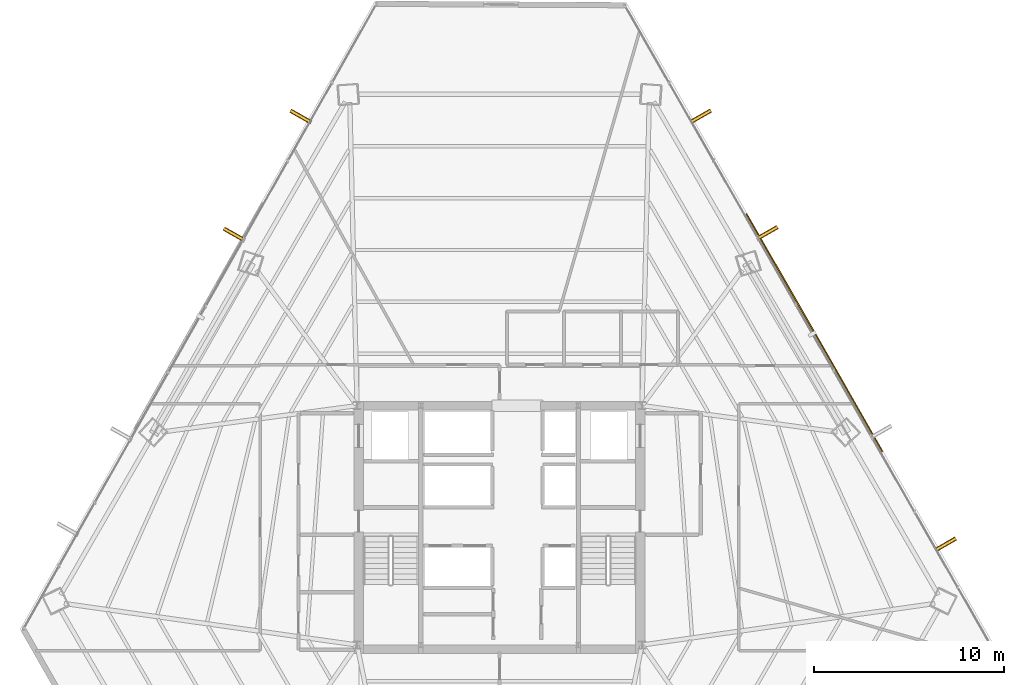
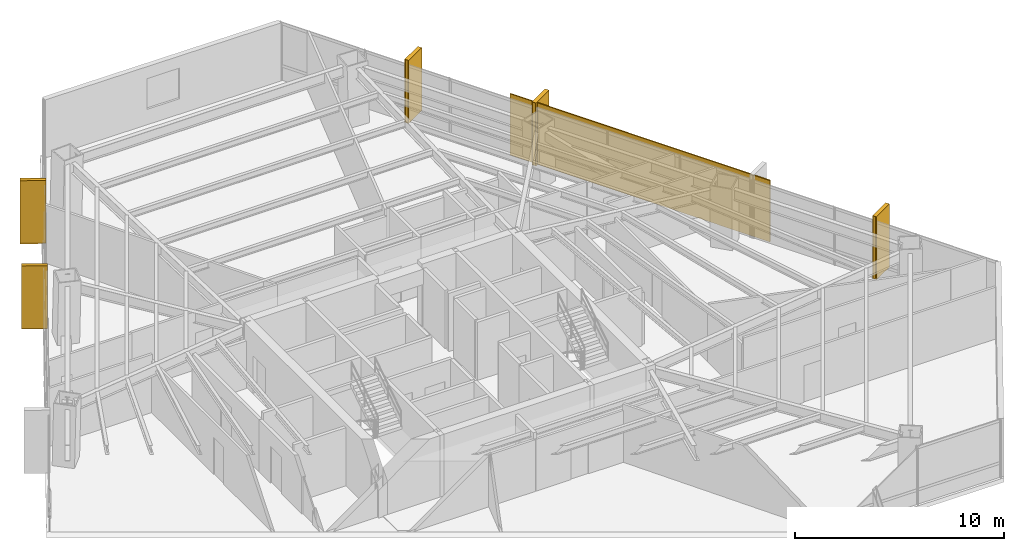
# One storey, part 36 of 36: 6 shading devices, 5 coverings.
"""IFC4 building model written with IfcOpenShell, lengths in metres."""

import ifcopenshell
import ifcopenshell.guid

model = None  # the IFC model being written
_history = None  # IfcOwnerHistory: only IFC2X3 demands one
_inside = {}  # id of a spatial element -> (the spatial element, [elements in it])
_under = {}  # id of a project, library or spatial element -> (it, [spatial elements below it])
_declared = {}  # id of a project -> (the project, [libraries it declares])
_typed = {}  # id of a type object -> (the type object, [elements of that type])
_made_of = {}  # id of a material, layer set ... -> (it, [elements and type objects made of it])


def new_model(schema):
    """Start an empty IFC model of exactly this schema.

    Asked for "IFC4X3", IfcOpenShell would pick the latest addendum, in which some entities
    have other attributes; the version numbers below select the first issue.
    IFC2X3 requires an IfcOwnerHistory on every rooted entity: one is made here for all.
    """
    global model, _history
    if schema == "IFC4X3":
        model = ifcopenshell.file(schema_version=(4, 3, 0, 0))
    else:
        model = ifcopenshell.file(schema=schema)
    _inside.clear()
    _under.clear()
    _declared.clear()
    _typed.clear()
    _made_of.clear()
    _history = None
    if model.schema == "IFC2X3":
        org = make("IfcOrganization", Name="unknown")
        user = make(
            "IfcPersonAndOrganization",
            ThePerson=make("IfcPerson", FamilyName="unknown"),
            TheOrganization=org,
        )
        app = make(
            "IfcApplication",
            ApplicationDeveloper=org,
            Version="unknown",
            ApplicationFullName="unknown",
            ApplicationIdentifier="unknown",
        )
        _history = make(
            "IfcOwnerHistory",
            OwningUser=user,
            OwningApplication=app,
            ChangeAction="ADDED",
            CreationDate=0,
        )
    return model


def make(cls, **values):
    """One entity of the class cls with the attributes given. An attribute that is None is left unset."""
    return model.create_entity(
        cls, **{name: value for name, value in values.items() if value is not None}
    )


def rooted(cls, **values):
    """An entity with a GlobalId (a new one), such as an element, a storey or a relation."""
    return make(cls, GlobalId=ifcopenshell.guid.new(), OwnerHistory=_history, **values)


def si_unit(unit_type, name, prefix=None):
    """IfcSIUnit, for example si_unit("LENGTHUNIT", "METRE", prefix="MILLI")."""
    return make("IfcSIUnit", UnitType=unit_type, Prefix=prefix, Name=name)


def assignment(units):
    """IfcUnitAssignment: the units of a project."""
    return None if units is None else make("IfcUnitAssignment", Units=units)


def point(xyz):
    """IfcCartesianPoint."""
    return None if xyz is None else make("IfcCartesianPoint", Coordinates=xyz)


def direction(xyz):
    """IfcDirection."""
    return None if xyz is None else make("IfcDirection", DirectionRatios=xyz)


def frame(location, z_axis=None, x_axis=None):
    """IfcAxis2Placement3D, a coordinate frame: its origin and axes. An axis left out is left unset."""
    return make(
        "IfcAxis2Placement3D",
        Location=point(location),
        Axis=direction(z_axis),
        RefDirection=direction(x_axis),
    )


def frame_2d(location, x_axis=None):
    """IfcAxis2Placement2D, a coordinate frame in the plane: its origin and x axis."""
    return make(
        "IfcAxis2Placement2D", Location=point(location), RefDirection=direction(x_axis)
    )


def origin():
    """The frame at (0, 0, 0) with its axes left unset."""
    return frame((0.0, 0.0, 0.0))


def origin_2d():
    """The frame at (0, 0) in the plane with its x axis left unset."""
    return frame_2d((0.0, 0.0))


def place(relative_to, where):
    """IfcLocalPlacement: puts the frame where relative to a parent placement (None: the world)."""
    return make(
        "IfcLocalPlacement", PlacementRelTo=relative_to, RelativePlacement=where
    )


def context(
    kind, dimensions, precision=None, world=None, true_north=None, identifier=None
):
    """IfcGeometricRepresentationContext, for example the 3D "Model" context."""
    return make(
        "IfcGeometricRepresentationContext",
        ContextIdentifier=identifier,
        ContextType=kind,
        CoordinateSpaceDimension=dimensions,
        Precision=precision,
        WorldCoordinateSystem=world,
        TrueNorth=true_north,
    )


def subcontext(parent, identifier, kind, view, scale=None):
    """IfcGeometricRepresentationSubContext, for example "Body" below "Model"."""
    return make(
        "IfcGeometricRepresentationSubContext",
        ContextIdentifier=identifier,
        ContextType=kind,
        ParentContext=parent,
        TargetScale=scale,
        TargetView=view,
    )


def project(units=None, contexts=None):
    """IfcProject with its units and contexts."""
    return rooted(
        "IfcProject",
        Name="project",
        RepresentationContexts=contexts,
        UnitsInContext=assignment(units),
    )


def spatial(cls, under=None, at=None, **own):
    """A site, building, storey or space (cls), placed at a placement, below another one or the project."""
    s = rooted(cls, ObjectPlacement=at, **own)
    if under is not None:
        _under.setdefault(under.id(), (under, []))[1].append(s)
    return s


def profile(cls, at=None, kind="AREA", **sizes):
    """A parametric profile (cls). Its sizes go by their IFC names, for example OverallWidth=200.0."""
    return make(cls, ProfileType=kind, Position=at, **sizes)


def rectangle(**sizes):
    """IfcRectangleProfileDef."""
    return profile("IfcRectangleProfileDef", **sizes)


def extrude(swept, where, along, depth):
    """IfcExtrudedAreaSolid: the profile swept, set in the frame where, extruded along a direction by depth."""
    return make(
        "IfcExtrudedAreaSolid",
        SweptArea=swept,
        Position=where,
        ExtrudedDirection=direction(along),
        Depth=depth,
    )


def shape(context_of_items, identifier, shape_type, items):
    """IfcShapeRepresentation: the items that make up one representation, for example the "Body"."""
    return make(
        "IfcShapeRepresentation",
        ContextOfItems=context_of_items,
        RepresentationIdentifier=identifier,
        RepresentationType=shape_type,
        Items=items,
    )


def source(mapping_origin, context_of_items, identifier, shape_type, items):
    """IfcRepresentationMap: a shape defined once, which mapped items show again and again."""
    return make(
        "IfcRepresentationMap",
        MappingOrigin=mapping_origin,
        MappedRepresentation=shape(context_of_items, identifier, shape_type, items),
    )


def transform(
    local_origin,
    x_axis=None,
    y_axis=None,
    z_axis=None,
    scale=None,
    scale2=None,
    scale3=None,
    uniform=True,
):
    """IfcCartesianTransformationOperator3D, or its non-uniform kind. x_axis, y_axis, z_axis: its Axis1, 2, 3."""
    if uniform:
        return make(
            "IfcCartesianTransformationOperator3D",
            Axis1=direction(x_axis),
            Axis2=direction(y_axis),
            LocalOrigin=point(local_origin),
            Scale=scale,
            Axis3=direction(z_axis),
        )
    return make(
        "IfcCartesianTransformationOperator3DnonUniform",
        Axis1=direction(x_axis),
        Axis2=direction(y_axis),
        LocalOrigin=point(local_origin),
        Scale=scale,
        Axis3=direction(z_axis),
        Scale2=scale2,
        Scale3=scale3,
    )


def mapped(mapping_source, mapping_target):
    """IfcMappedItem: shows the shape of a source again, moved by a transform."""
    return make(
        "IfcMappedItem", MappingSource=mapping_source, MappingTarget=mapping_target
    )


def material(Name=None, Category=None):
    """IfcMaterial."""
    return make("IfcMaterial", Name=Name, Category=Category)


def layer(
    of_material, thickness, ventilated=None, Name=None, Category=None, Priority=None
):
    """IfcMaterialLayer: one layer of a wall or slab, of a material (None: an air gap)."""
    return make(
        "IfcMaterialLayer",
        Material=of_material,
        LayerThickness=thickness,
        IsVentilated=ventilated,
        Name=Name,
        Category=Category,
        Priority=Priority,
    )


def layer_set(layers, Name=None):
    """IfcMaterialLayerSet."""
    return make("IfcMaterialLayerSet", MaterialLayers=layers, LayerSetName=Name)


def made_of(thing, what):
    """Note that an element or type object is made of a material, layer set ...; save() writes the relation."""
    if what is not None:
        _made_of.setdefault(what.id(), (what, []))[1].append(thing)
    return thing


def type_object(cls, material=None, **own):
    """A type object (cls), such as IfcWallType, which elements share."""
    return made_of(rooted(cls, **own), material)


def type_shapes(of_type, sources):
    """Give a type object the sources (RepresentationMaps) that its elements show as mapped items."""
    of_type.RepresentationMaps = sources


def element(
    cls,
    number,
    at=None,
    inside=None,
    cuts=None,
    type_object=None,
    material=None,
    context=None,
    identifier="Body",
    shape_type=None,
    held_by="IfcProductDefinitionShape",
    body=None,
    shapes=None,
    **own,
):
    """One element of the class cls, such as IfcWall. Its Tag is "e" and its number.

    at: its placement. inside: the storey or other place that contains it. cuts: it is an
    opening in that element (IfcRelVoidsElement). A single representation is given by context,
    identifier, shape_type and body (its items); several are given by shapes. held_by: the class
    of the entity that holds the representations. save() writes the other relations.
    """
    e = rooted(cls, Tag="e%d" % number, ObjectPlacement=at, **own)
    if body is not None:
        shapes = [shape(context, identifier, shape_type, body)]
    if shapes is not None:
        e.Representation = make(held_by, Representations=shapes)
    if inside is not None:
        _inside.setdefault(inside.id(), (inside, []))[1].append(e)
    if cuts is not None:
        rooted(
            "IfcRelVoidsElement", RelatingBuildingElement=cuts, RelatedOpeningElement=e
        )
    if type_object is not None:
        _typed.setdefault(type_object.id(), (type_object, []))[1].append(e)
    return made_of(e, material)


def aggregate(whole, parts):
    """IfcRelAggregates: a whole, such as a stair, and the parts it consists of."""
    return rooted("IfcRelAggregates", RelatingObject=whole, RelatedObjects=parts)


def save(model, path):
    """Write the relations noted so far, then the file.

    IfcRelAggregates (storeys below a building ...), IfcRelContainedInSpatialStructure (elements
    in a storey), IfcRelDefinesByType, IfcRelAssociatesMaterial and IfcRelDeclares: one each for
    every whole, place, type object, material and project.
    """
    for whole, parts in _under.values():
        aggregate(whole, parts)
    for where, things in _inside.values():
        rooted(
            "IfcRelContainedInSpatialStructure",
            RelatedElements=things,
            RelatingStructure=where,
        )
    for kind, things in _typed.values():
        rooted("IfcRelDefinesByType", RelatedObjects=things, RelatingType=kind)
    for what, things in _made_of.values():
        rooted("IfcRelAssociatesMaterial", RelatedObjects=things, RelatingMaterial=what)
    for by, libraries in _declared.values():
        rooted("IfcRelDeclares", RelatingContext=by, RelatedDefinitions=libraries)
    model.write(path)


model = new_model("IFC4")

# Units and contexts
model_context = context("Model", 3, precision=1e-05, world=origin(), true_north=direction((0.0, 1.0)))
body_context = subcontext(model_context, "Body", "Model", "MODEL_VIEW")
ifc_project = project(units=[si_unit("LENGTHUNIT", "METRE"), si_unit("AREAUNIT", "SQUARE_METRE"), si_unit("VOLUMEUNIT", "CUBIC_METRE"), si_unit("PLANEANGLEUNIT", "RADIAN"), si_unit("MASSUNIT", "GRAM", prefix="KILO")], contexts=[model_context])

# Site, building, storey
site_placement = place(None, origin())
site = spatial("IfcSite", under=ifc_project, at=site_placement, CompositionType="ELEMENT")
building_placement = place(site_placement, origin())
building = spatial("IfcBuilding", under=site, at=building_placement, Name="Caelisora Broadcast Tower", CompositionType="ELEMENT")
storey_placement = place(building_placement, frame((0.0, 0.0, 83.5)))
storey = spatial("IfcBuildingStorey", under=building, at=storey_placement, Name="L21", CompositionType="ELEMENT", Elevation=83.5)

# Coverings
ifc_material_1 = material(Name="Kiln-Fired Terracotta Spandrel Rainscreen Cladding", Category="ceramic")
ifc_layer_1 = layer(ifc_material_1, 0.044921875, Name="Kiln-Fired Terracotta Spandrel Rainscreen Cladding")
ifc_layer_set_1 = layer_set([ifc_layer_1], Name="Kiln-Fired Terracotta Spandrel Rainscreen Cladding")
covering_type = type_object("IfcCoveringType", Name="CL-1", PredefinedType="CLADDING", material=ifc_layer_set_1)
shared_shape_1 = source(origin(), body_context, "Body", "SweptSolid", [
    extrude(rectangle(XDim=0.219970703125, YDim=1.25, at=origin_2d()), origin(), (0.0, 0.0, 1.0), 3.68994140625),
])
type_shapes(covering_type, [shared_shape_1])
for number, where, z_axis, x_axis, name in (
    (1, (48.58544921875, 45.220458984375, -0.02001953125), (0.0, 0.0, 1.0), (0.496519531995, -0.868025549363, 0.0), "L21 vertical solar fin cladding #1-1"),
    (2, (52.0927734375, 39.08984375, -0.02001953125), (0.0, 0.0, 1.0), (0.496519531995, -0.868025549363, 0.0), "L21 vertical solar fin cladding #1-2"),
    (3, (61.471435546875, 22.6962890625, -0.02001953125), (0.0, 0.0, 1.0), (0.496519531995, -0.868025549363, 0.0), "L21 vertical solar fin cladding #1-4"),
    (4, (24.0341796875, 39.0078125, -0.02001953125), (0.0, 0.0, 1.0), (0.49181581725, 0.870699260309, 0.0), "L21 vertical solar fin cladding #3-3"),
    (5, (27.539794921875, 45.214599609375, -0.02001953125), (0.0, 0.0, 1.0), (0.49181581725, 0.870699260309, 0.0), "L21 vertical solar fin cladding #3-4"),
):
    element("IfcCovering", number, at=place(storey_placement, frame(where, z_axis=z_axis, x_axis=x_axis)), inside=storey, type_object=covering_type, Name=name, PredefinedType="CLADDING", context=body_context, shape_type="MappedRepresentation", body=[
        mapped(shared_shape_1, transform((0.0, 0.0, 0.0), scale=1.0)),
    ])

# Shading devices
ifc_material_2 = material(Name="Extruded Terracotta Flaring Colonnade Fin", Category="ceramic")
ifc_layer_2 = layer(ifc_material_2, 0.139892578125, Name="Extruded Terracotta Flaring Colonnade Fin")
ifc_layer_set_2 = layer_set([ifc_layer_2], Name="Extruded Terracotta Flaring Colonnade Fin")
shading_device_type_1 = type_object("IfcShadingDeviceType", Name="FN-1", PredefinedType="USERDEFINED", material=ifc_layer_set_2)
shared_shape_2 = source(origin(), body_context, "Body", "SweptSolid", [
    extrude(rectangle(XDim=0.139892578125, YDim=1.25, at=origin_2d()), origin(), (0.0, 0.0, 1.0), 3.669921875),
])
type_shapes(shading_device_type_1, [shared_shape_2])
for number, where, z_axis, x_axis, name in (
    (6, (48.58544921875, 45.220458984375, -0.010009765625), (0.0, 0.0, 1.0), (0.496519531995, -0.868025549363, 0.0), "L21 vertical terracotta fin #1-1"),
    (7, (52.0927734375, 39.08984375, -0.010009765625), (0.0, 0.0, 1.0), (0.496519531995, -0.868025549363, 0.0), "L21 vertical terracotta fin #1-2"),
    (8, (61.471435546875, 22.6962890625, -0.010009765625), (0.0, 0.0, 1.0), (0.496519531995, -0.868025549363, 0.0), "L21 vertical terracotta fin #1-4"),
    (9, (24.0341796875, 39.0078125, -0.010009765625), (0.0, 0.0, 1.0), (0.49181581725, 0.870699260309, 0.0), "L21 vertical terracotta fin #3-3"),
    (10, (27.539794921875, 45.214599609375, -0.010009765625), (0.0, 0.0, 1.0), (0.49181581725, 0.870699260309, 0.0), "L21 vertical terracotta fin #3-4"),
):
    element("IfcShadingDevice", number, at=place(storey_placement, frame(where, z_axis=z_axis, x_axis=x_axis)), inside=storey, type_object=shading_device_type_1, Name=name, ObjectType="FIN", PredefinedType="USERDEFINED", context=body_context, shape_type="MappedRepresentation", body=[
        mapped(shared_shape_2, transform((0.0, 0.0, 0.0), scale=1.0)),
    ])
ifc_material_3 = material(Name="Perforated Glazed Terracotta Baguette Solar Screen", Category="ceramic")
ifc_layer_3 = layer(ifc_material_3, 0.06494140625, Name="Perforated Glazed Terracotta Baguette Solar Screen")
ifc_layer_set_3 = layer_set([ifc_layer_3], Name="Perforated Glazed Terracotta Baguette Solar Screen")
shading_device_type_2 = type_object("IfcShadingDeviceType", Name="SS-1", PredefinedType="USERDEFINED", material=ifc_layer_set_3)
shared_shape_3 = source(origin(), body_context, "Body", "SweptSolid", [
    extrude(rectangle(XDim=14.406005859375, YDim=0.06494140625, at=origin_2d()), origin(), (0.0, 0.0, 1.0), 3.590087890625),
])
type_shapes(shading_device_type_2, [shared_shape_3])
shading_device_placement = place(storey_placement, frame((54.579833984375, 33.836669921875, 0.0), z_axis=(0.0, 0.0, 1.0), x_axis=(-0.496519531995, 0.868025549363, 0.0)))
element("IfcShadingDevice", 11, at=shading_device_placement, inside=storey, type_object=shading_device_type_2, Name="L21 perforated terracotta solar screen #3", ObjectType="SOLAR SCREEN", PredefinedType="USERDEFINED", context=body_context, shape_type="MappedRepresentation", body=[
    mapped(shared_shape_3, transform((0.0, 0.0, 0.0), scale=1.0)),
])

save(model, "model.ifc")
